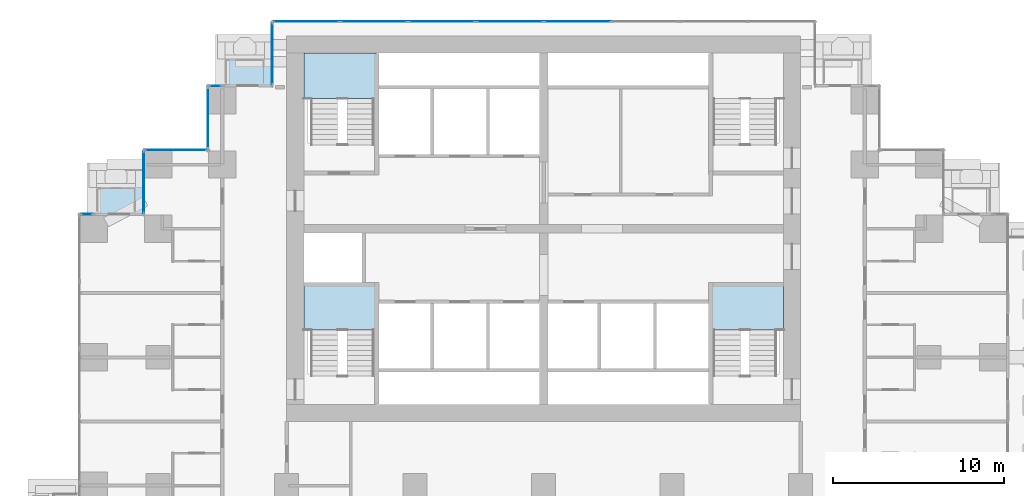
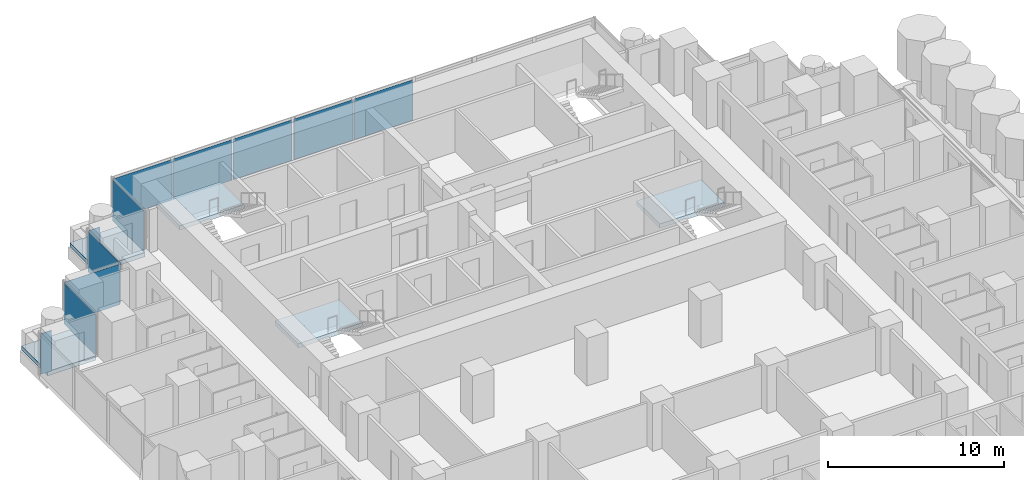
# One storey, part 8 of 19: 11 plates, 5 slabs, 11 elements without a shape of their own.
"""IFC4 building model written with IfcOpenShell, lengths in metres."""

from ifc_helpers import new_model, si_unit, direction, frame, origin, origin_2d, place, context, subcontext, project, spatial, polyline, rectangle, outline, extrude, material, layer, layer_set, type_object, element, aggregate, save


model = new_model("IFC4")

# Units and contexts
model_context = context("Model", 3, precision=1e-05, world=origin(), true_north=direction((0.0, 1.0)))
body_context = subcontext(model_context, "Body", "Model", "MODEL_VIEW")
ifc_project = project(units=[si_unit("LENGTHUNIT", "METRE"), si_unit("AREAUNIT", "SQUARE_METRE"), si_unit("VOLUMEUNIT", "CUBIC_METRE"), si_unit("PLANEANGLEUNIT", "RADIAN"), si_unit("MASSUNIT", "GRAM", prefix="KILO")], contexts=[model_context])

# Site, building, storey
site_placement = place(None, origin())
site = spatial("IfcSite", under=ifc_project, at=site_placement, CompositionType="ELEMENT")
building_placement = place(site_placement, origin())
building = spatial("IfcBuilding", under=site, at=building_placement, Name="Pilkhan Gate Tower", CompositionType="ELEMENT")
storey_placement = place(building_placement, frame((0.0, 0.0, 39.5)))
storey = spatial("IfcBuildingStorey", under=building, at=storey_placement, Name="L06", CompositionType="ELEMENT", Elevation=39.5)

# Slabs
ifc_material_1 = material(Name="Concrete C60/75", Category="concrete")
ifc_layer_1 = layer(ifc_material_1, 0.300048828125)
ifc_layer_set_1 = layer_set([ifc_layer_1], Name="Balcony tray slab TR300")
slab_type_1 = type_object("IfcSlabType", Name="Balcony tray slab TR300", PredefinedType="FLOOR", material=ifc_layer_set_1)
slab_1_placement = place(storey_placement, frame((0.0, 0.0, -0.300048828125)))
element("IfcSlab", 1, at=slab_1_placement, inside=storey, type_object=slab_type_1, Name="Balcony tray L06 N", PredefinedType="FLOOR", context=body_context, shape_type="SweptSolid", body=[
    extrude(outline(polyline([(59.14990234375, 90.85009765625), (59.14990234375, 93.85009765625), (55.949951171875, 93.85009765625), (55.949951171875, 90.85009765625), (59.14990234375, 90.85009765625)])), origin(), (0.0, 0.0, 1.0), 0.300048828125),
])
slab_2_placement = place(storey_placement, frame((0.0, 0.0, -0.300048828125)))
element("IfcSlab", 2, at=slab_2_placement, inside=storey, type_object=slab_type_1, Name="Balcony tray L06 N", PredefinedType="FLOOR", context=body_context, shape_type="SweptSolid", body=[
    extrude(outline(polyline([(51.6298828125, 83.3701171875), (51.6298828125, 86.35009765625), (48.449951171875, 86.35009765625), (48.449951171875, 83.3701171875), (51.6298828125, 83.3701171875)])), origin(), (0.0, 0.0, 1.0), 0.300048828125),
])

# Curtain wall, plates
ifc_material_2 = material(Name="Pale anodised aluminium, clear low-iron double glazing", Category="aluminium")
curtain_wall_type = type_object("IfcCurtainWallType", Name="Hotel unitised curtain wall CW-H", PredefinedType="USERDEFINED", material=ifc_material_2)
curtain_wall_1_placement = place(storey_placement, origin())
curtain_wall_1 = element("IfcCurtainWall", 3, at=curtain_wall_1_placement, inside=storey, type_object=curtain_wall_type, Name="Hotel unitised curtain wall CW-H L06 N", ObjectType="UNITISED CURTAIN WALL", PredefinedType="USERDEFINED")
ifc_material_3 = material(Name="Clear low-iron double glazing", Category="glass")
ifc_layer_2 = layer(ifc_material_3, 0.035888671875)
ifc_layer_set_2 = layer_set([ifc_layer_2], Name="Glass panel CW-H 36")
plate_type = type_object("IfcPlateType", Name="Glass panel CW-H 36", PredefinedType="CURTAIN_PANEL", material=ifc_layer_set_2)
plate_1_placement = place(storey_placement, frame((61.15185546875, 94.594970703125, 0.0), z_axis=(0.0, 0.0, 1.0), x_axis=(1.0, 0.0, 0.0)))
plate_1 = element("IfcPlate", 4, at=plate_1_placement, type_object=plate_type, Name="CW-H panel 1", PredefinedType="CURTAIN_PANEL", context=body_context, shape_type="SweptSolid", body=[
    extrude(rectangle(XDim=3.86376953125, YDim=0.035888671875, at=origin_2d()), origin(), (0.0, 0.0, 1.0), 2.820068359375),
])
plate_2_placement = place(storey_placement, frame((65.096923828125, 94.594970703125, 0.0), z_axis=(0.0, 0.0, 1.0), x_axis=(1.0, 0.0, 0.0)))
plate_2 = element("IfcPlate", 5, at=plate_2_placement, type_object=plate_type, Name="CW-H panel 2", PredefinedType="CURTAIN_PANEL", context=body_context, shape_type="SweptSolid", body=[
    extrude(rectangle(XDim=3.896240234375, YDim=0.035888671875, at=origin_2d()), origin(), (0.0, 0.0, 1.0), 2.820068359375),
])
plate_3_placement = place(storey_placement, frame((69.0419921875, 94.594970703125, 0.0), z_axis=(0.0, 0.0, 1.0), x_axis=(1.0, 0.0, 0.0)))
plate_3 = element("IfcPlate", 6, at=plate_3_placement, type_object=plate_type, Name="CW-H panel 3", PredefinedType="CURTAIN_PANEL", context=body_context, shape_type="SweptSolid", body=[
    extrude(rectangle(XDim=3.86376953125, YDim=0.035888671875, at=origin_2d()), origin(), (0.0, 0.0, 1.0), 2.820068359375),
])
aggregate(curtain_wall_1, [plate_1, plate_2, plate_3])

curtain_wall_2_placement = place(storey_placement, origin())
curtain_wall_2 = element("IfcCurtainWall", 7, at=curtain_wall_2_placement, inside=storey, type_object=curtain_wall_type, Name="Hotel unitised curtain wall CW-H L06 N", ObjectType="UNITISED CURTAIN WALL", PredefinedType="USERDEFINED")
plate_4_placement = place(storey_placement, frame((73.03564453125, 94.594970703125, 0.0), z_axis=(0.0, 0.0, 1.0), x_axis=(1.0, 0.0, 0.0)))
plate_4 = element("IfcPlate", 8, at=plate_4_placement, type_object=plate_type, Name="CW-H panel 1", PredefinedType="CURTAIN_PANEL", context=body_context, shape_type="SweptSolid", body=[
    extrude(rectangle(XDim=3.86376953125, YDim=0.035888671875, at=origin_2d()), origin(), (0.0, 0.0, 1.0), 2.820068359375),
])
plate_5_placement = place(storey_placement, frame((76.980712890625, 94.594970703125, 0.0), z_axis=(0.0, 0.0, 1.0), x_axis=(1.0, 0.0, 0.0)))
plate_5 = element("IfcPlate", 9, at=plate_5_placement, type_object=plate_type, Name="CW-H panel 2", PredefinedType="CURTAIN_PANEL", context=body_context, shape_type="SweptSolid", body=[
    extrude(rectangle(XDim=3.896240234375, YDim=0.035888671875, at=origin_2d()), origin(), (0.0, 0.0, 1.0), 2.820068359375),
])
aggregate(curtain_wall_2, [plate_4, plate_5])

# Curtain wall, plate
curtain_wall_3_placement = place(storey_placement, origin())
curtain_wall_3 = element("IfcCurtainWall", 10, at=curtain_wall_3_placement, inside=storey, type_object=curtain_wall_type, Name="Hotel unitised curtain wall CW-H L06 W", ObjectType="UNITISED CURTAIN WALL", PredefinedType="USERDEFINED")
plate_6_placement = place(storey_placement, frame((59.155029296875, 92.719970703125, 0.0), z_axis=(0.0, 0.0, 1.0), x_axis=(0.0, 1.0, 0.0)))
plate_6 = element("IfcPlate", 11, at=plate_6_placement, type_object=plate_type, Name="CW-H panel 1", PredefinedType="CURTAIN_PANEL", context=body_context, shape_type="SweptSolid", body=[
    extrude(rectangle(XDim=3.6201171875, YDim=0.035888671875, at=origin_2d()), origin(), (0.0, 0.0, 1.0), 2.820068359375),
])
aggregate(curtain_wall_3, [plate_6])

curtain_wall_4_placement = place(storey_placement, origin())
curtain_wall_4 = element("IfcCurtainWall", 12, at=curtain_wall_4_placement, inside=storey, type_object=curtain_wall_type, Name="Hotel unitised curtain wall CW-H L06 N", ObjectType="UNITISED CURTAIN WALL", PredefinedType="USERDEFINED")
plate_7_placement = place(storey_placement, frame((55.827392578125, 90.844970703125, 0.0), z_axis=(0.0, 0.0, 1.0), x_axis=(1.0, 0.0, 0.0)))
plate_7 = element("IfcPlate", 13, at=plate_7_placement, type_object=plate_type, Name="CW-H panel 1", PredefinedType="CURTAIN_PANEL", context=body_context, shape_type="SweptSolid", body=[
    extrude(rectangle(XDim=0.715087890625, YDim=0.035888671875, at=origin_2d()), origin(), (0.0, 0.0, 1.0), 2.820068359375),
])
aggregate(curtain_wall_4, [plate_7])

curtain_wall_5_placement = place(storey_placement, origin())
curtain_wall_5 = element("IfcCurtainWall", 14, at=curtain_wall_5_placement, inside=storey, type_object=curtain_wall_type, Name="Hotel unitised curtain wall CW-H L06 W", ObjectType="UNITISED CURTAIN WALL", PredefinedType="USERDEFINED")
plate_8_placement = place(storey_placement, frame((55.405029296875, 88.969970703125, 0.0), z_axis=(0.0, 0.0, 1.0), x_axis=(0.0, 1.0, 0.0)))
plate_8 = element("IfcPlate", 15, at=plate_8_placement, type_object=plate_type, Name="CW-H panel 1", PredefinedType="CURTAIN_PANEL", context=body_context, shape_type="SweptSolid", body=[
    extrude(rectangle(XDim=3.6201171875, YDim=0.035888671875, at=origin_2d()), origin(), (0.0, 0.0, 1.0), 2.820068359375),
])
aggregate(curtain_wall_5, [plate_8])

curtain_wall_6_placement = place(storey_placement, origin())
curtain_wall_6 = element("IfcCurtainWall", 16, at=curtain_wall_6_placement, inside=storey, type_object=curtain_wall_type, Name="Hotel unitised curtain wall CW-H L06 N", ObjectType="UNITISED CURTAIN WALL", PredefinedType="USERDEFINED")
plate_9_placement = place(storey_placement, frame((53.530029296875, 87.094970703125, 0.0), z_axis=(0.0, 0.0, 1.0), x_axis=(1.0, 0.0, 0.0)))
plate_9 = element("IfcPlate", 17, at=plate_9_placement, type_object=plate_type, Name="CW-H panel 1", PredefinedType="CURTAIN_PANEL", context=body_context, shape_type="SweptSolid", body=[
    extrude(rectangle(XDim=3.6201171875, YDim=0.035888671875, at=origin_2d()), origin(), (0.0, 0.0, 1.0), 2.820068359375),
])
aggregate(curtain_wall_6, [plate_9])

curtain_wall_7_placement = place(storey_placement, origin())
curtain_wall_7 = element("IfcCurtainWall", 18, at=curtain_wall_7_placement, inside=storey, type_object=curtain_wall_type, Name="Hotel unitised curtain wall CW-H L06 W", ObjectType="UNITISED CURTAIN WALL", PredefinedType="USERDEFINED")
plate_10_placement = place(storey_placement, frame((51.655029296875, 85.219970703125, 0.0), z_axis=(0.0, 0.0, 1.0), x_axis=(0.0, 1.0, 0.0)))
plate_10 = element("IfcPlate", 19, at=plate_10_placement, type_object=plate_type, Name="CW-H panel 1", PredefinedType="CURTAIN_PANEL", context=body_context, shape_type="SweptSolid", body=[
    extrude(rectangle(XDim=3.6201171875, YDim=0.035888671875, at=origin_2d()), origin(), (0.0, 0.0, 1.0), 2.820068359375),
])
aggregate(curtain_wall_7, [plate_10])

curtain_wall_8_placement = place(storey_placement, origin())
curtain_wall_8 = element("IfcCurtainWall", 20, at=curtain_wall_8_placement, inside=storey, type_object=curtain_wall_type, Name="Hotel unitised curtain wall CW-H L06 N", ObjectType="UNITISED CURTAIN WALL", PredefinedType="USERDEFINED")
plate_11_placement = place(storey_placement, frame((48.327392578125, 83.344970703125, 0.0), z_axis=(0.0, 0.0, 1.0), x_axis=(1.0, 0.0, 0.0)))
plate_11 = element("IfcPlate", 21, at=plate_11_placement, type_object=plate_type, Name="CW-H panel 1", PredefinedType="CURTAIN_PANEL", context=body_context, shape_type="SweptSolid", body=[
    extrude(rectangle(XDim=0.715087890625, YDim=0.035888671875, at=origin_2d()), origin(), (0.0, 0.0, 1.0), 2.820068359375),
])
aggregate(curtain_wall_8, [plate_11])

# Stair, slab
ifc_material_4 = material(Name="Concrete C40/50 precast", Category="concrete")
stair_type_1 = type_object("IfcStairType", Name="Stair ST1 165x300", PredefinedType="HALF_TURN_STAIR", material=ifc_material_4)
stair_1_placement = place(storey_placement, origin())
stair_1 = element("IfcStair", 22, at=stair_1_placement, inside=storey, type_object=stair_type_1, Name="Stair ST1 L06", PredefinedType="HALF_TURN_STAIR")
ifc_material_5 = material(Name="Concrete C40/50", Category="concrete")
ifc_layer_3 = layer(ifc_material_5, 0.199951171875)
ifc_layer_set_3 = layer_set([ifc_layer_3], Name="Stair landing SL200")
slab_type_2 = type_object("IfcSlabType", Name="Stair landing SL200", PredefinedType="LANDING", material=ifc_layer_set_3)
slab_3_placement = place(storey_placement, frame((0.0, 0.0, 1.35009765625)))
slab_3 = element("IfcSlab", 23, at=slab_3_placement, type_object=slab_type_2, Name="ST1 landing 1", PredefinedType="LANDING", context=body_context, shape_type="SweptSolid", body=[
    extrude(outline(polyline([(89.0, 76.60009765625), (89.0, 79.25), (84.75, 79.25), (84.75, 76.60009765625), (89.0, 76.60009765625)])), origin(), (0.0, 0.0, 1.0), 0.2998046875),
])
aggregate(stair_1, [slab_3])

stair_type_2 = type_object("IfcStairType", Name="Stair ST2 165x300", PredefinedType="HALF_TURN_STAIR", material=ifc_material_4)
stair_2_placement = place(storey_placement, origin())
stair_2 = element("IfcStair", 24, at=stair_2_placement, inside=storey, type_object=stair_type_2, Name="Stair ST2 L06", PredefinedType="HALF_TURN_STAIR")
slab_4_placement = place(storey_placement, frame((0.0, 0.0, 1.35009765625)))
slab_4 = element("IfcSlab", 25, at=slab_4_placement, type_object=slab_type_2, Name="ST2 landing 1", PredefinedType="LANDING", context=body_context, shape_type="SweptSolid", body=[
    extrude(outline(polyline([(65.25, 76.60009765625), (65.25, 79.25), (61.0, 79.25), (61.0, 76.60009765625), (65.25, 76.60009765625)])), origin(), (0.0, 0.0, 1.0), 0.2998046875),
])
aggregate(stair_2, [slab_4])

stair_type_3 = type_object("IfcStairType", Name="Stair ST3 165x300", PredefinedType="HALF_TURN_STAIR", material=ifc_material_4)
stair_3_placement = place(storey_placement, origin())
stair_3 = element("IfcStair", 26, at=stair_3_placement, inside=storey, type_object=stair_type_3, Name="Stair ST3 L06", PredefinedType="HALF_TURN_STAIR")
slab_5_placement = place(storey_placement, frame((0.0, 0.0, 1.35009765625)))
slab_5 = element("IfcSlab", 27, at=slab_5_placement, type_object=slab_type_2, Name="ST3 landing 1", PredefinedType="LANDING", context=body_context, shape_type="SweptSolid", body=[
    extrude(outline(polyline([(65.25, 90.10009765625), (65.25, 92.75), (61.0, 92.75), (61.0, 90.10009765625), (65.25, 90.10009765625)])), origin(), (0.0, 0.0, 1.0), 0.2998046875),
])
aggregate(stair_3, [slab_5])

save(model, "model.ifc")
